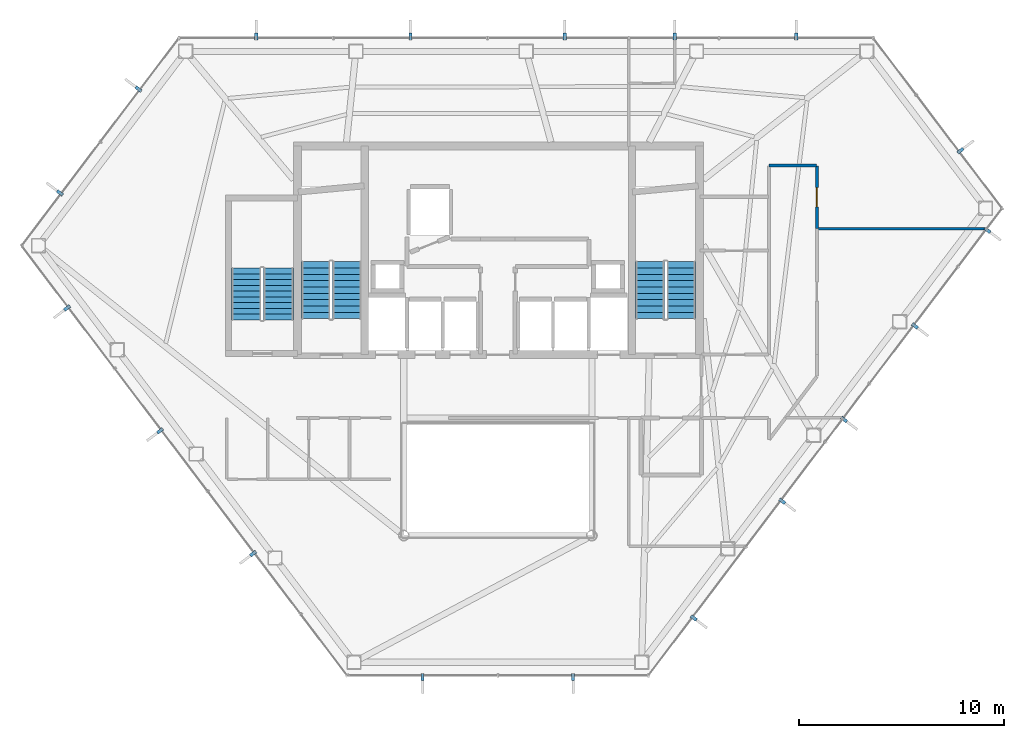
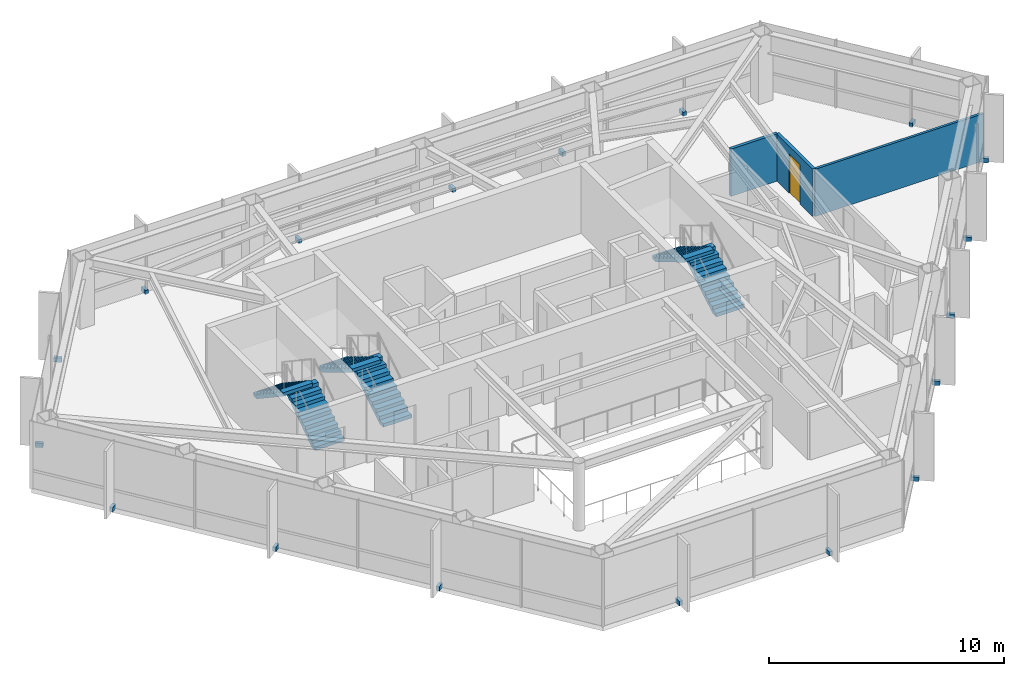
# One storey, part 26 of 27: 18 discrete accessories, 6 stair flights, 3 walls, 1 door, 1 opening, 3 elements without a shape of their own.
"""IFC4 building model written with IfcOpenShell, lengths in metres."""

from ifc_helpers import new_model, si_unit, direction, frame, frame_2d, origin, origin_2d, place, context, subcontext, project, spatial, polyline, rectangle, outline, extrude, material, layer, layer_set, type_object, element, fill, aggregate, save


model = new_model("IFC4")

# Units and contexts
model_context = context("Model", 3, precision=1e-05, world=origin(), true_north=direction((0.0, 1.0)))
body_context = subcontext(model_context, "Body", "Model", "MODEL_VIEW")
ifc_project = project(units=[si_unit("LENGTHUNIT", "METRE"), si_unit("AREAUNIT", "SQUARE_METRE"), si_unit("VOLUMEUNIT", "CUBIC_METRE"), si_unit("PLANEANGLEUNIT", "RADIAN"), si_unit("MASSUNIT", "GRAM", prefix="KILO")], contexts=[model_context])

# Site, building, storey
site_placement = place(None, origin())
site = spatial("IfcSite", under=ifc_project, at=site_placement, CompositionType="ELEMENT")
building_placement = place(site_placement, origin())
building = spatial("IfcBuilding", under=site, at=building_placement, Name="Zarrinselat Tower", CompositionType="ELEMENT")
storey_placement = place(building_placement, frame((0.0, 0.0, 175.780029296875)))
storey = spatial("IfcBuildingStorey", under=building, at=storey_placement, Name="L43", CompositionType="ELEMENT", Elevation=175.780029296875)

# Wall
ifc_material_1 = material(Name="Fire-Rated Gypsum Board Partition", Category="gypsum")
ifc_layer_1 = layer(ifc_material_1, 0.14990234375)
ifc_layer_set_1 = layer_set([ifc_layer_1], Name="Fire-Rated Gypsum Board Partition")
wall_type_1 = type_object("IfcWallType", Name="WAL-PART-EI60", PredefinedType="PARTITIONING", material=ifc_layer_set_1)
wall_1_placement = place(storey_placement, frame((51.669921875, 42.5, 0.0), z_axis=(0.0, 0.0, 1.0), x_axis=(1.0, 0.0, 0.0)))
element("IfcWall", 1, at=wall_1_placement, inside=storey, type_object=wall_type_1, Name="L43 Partition Wall 27", PredefinedType="PARTITIONING", context=body_context, shape_type="SweptSolid", body=[
    extrude(rectangle(XDim=2.31005859375, YDim=0.14990234375, at=frame_2d((1.155029296875, 0.0))), origin(), (0.0, 0.0, 1.0), 2.45703125),
])

# Wall, opening, door
wall_2_placement = place(storey_placement, frame((54.0, 39.4111328125, 0.0), z_axis=(0.0, 0.0, 1.0), x_axis=(0.0, 1.0, 0.0)))
wall_2 = element("IfcWall", 2, at=wall_2_placement, inside=storey, type_object=wall_type_1, Name="L43 Partition Wall 28", PredefinedType="PARTITIONING", context=body_context, shape_type="SweptSolid", body=[
    extrude(rectangle(XDim=3.06884765625, YDim=0.14990234375, at=frame_2d((1.534423828125, 0.0))), origin(), (0.0, 0.0, 1.0), 2.45703125),
])
opening_placement = place(wall_2_placement, frame((1.064453125, 0.0, 0.0)))
opening = element("IfcOpeningElement", 3, at=opening_placement, cuts=wall_2, Name="Opening ID-04", PredefinedType="OPENING", context=body_context, shape_type="SweptSolid", body=[
    extrude(rectangle(XDim=0.93994140625, YDim=2.050048828125, at=frame_2d((0.469970703125, 1.02490234375))), frame((0.0, 0.0849609375, 0.0), z_axis=(0.0, -1.0, 0.0), x_axis=(1.0, 0.0, 0.0)), (0.0, 0.0, 1.0), 0.169921875),
])
ifc_material_2 = material(Name="Fire-Rated Gypsum Board Partition")
door_type = type_object("IfcDoorType", Name="DR-INT-FD30-ENT", OperationType="NOTDEFINED", PredefinedType="DOOR", material=ifc_material_2)
door_placement = place(opening_placement, origin())
door = element("IfcDoor", 4, at=door_placement, inside=storey, type_object=door_type, Name="L43 Interior Door P28", OperationType="SINGLE_SWING_RIGHT", OverallHeight=2.050048828125, OverallWidth=0.93994140625, PredefinedType="DOOR", context=body_context, shape_type="SweptSolid", body=[
    extrude(rectangle(XDim=0.93994140625, YDim=2.050048828125, at=frame_2d((0.469970703125, 1.02490234375))), frame((0.0, 0.02490234375, 0.0), z_axis=(0.0, -1.0, 0.0), x_axis=(1.0, 0.0, 0.0)), (0.0, 0.0, 1.0), 0.050048828125),
])
fill(opening, door)

# Wall
ifc_material_3 = material(Name="Fire-Rated Gypsum Board Partition", Category="gypsum")
ifc_layer_2 = layer(ifc_material_3, 0.1201171875)
ifc_layer_set_2 = layer_set([ifc_layer_2], Name="Fire-Rated Gypsum Board Partition")
wall_type_2 = type_object("IfcWallType", Name="WAL-PART-STD", PredefinedType="PARTITIONING", material=ifc_layer_set_2)
wall_3_placement = place(storey_placement, frame((54.02001953125, 39.406005859375, 0.0), z_axis=(0.0, 0.0, 1.0), x_axis=(1.0, 0.0, 0.0)))
element("IfcWall", 5, at=wall_3_placement, inside=storey, type_object=wall_type_2, Name="L43 Partition Wall 43", PredefinedType="PARTITIONING", context=body_context, shape_type="SweptSolid", body=[
    extrude(rectangle(XDim=8.277099609375, YDim=0.1201171875, at=frame_2d((4.138671875, 0.0))), origin(), (0.0, 0.0, 1.0), 2.45703125),
])

# Stair, stair flights
ifc_material_4 = material(Name="Concrete C40/50", Category="concrete")
stair_type_1 = type_object("IfcStairType", Name="STR-CORE-145", PredefinedType="HALF_TURN_STAIR", material=ifc_material_4)
stair_1_placement = place(storey_placement, origin())
stair_1 = element("IfcStair", 6, at=stair_1_placement, inside=storey, type_object=stair_type_1, Name="L43 Podium & Mid-Tower Exit Stair 3", PredefinedType="HALF_TURN_STAIR")
ifc_material_5 = material(Name="Concrete C40/50", Category="concrete")
stair_flight_type_1 = type_object("IfcStairFlightType", Name="STR-FLT-145", PredefinedType="STRAIGHT", material=ifc_material_5)
stair_flight_1_placement = place(storey_placement, frame((27.675048828125, 34.949951171875, 0.0), z_axis=(0.0, 0.0, 1.0), x_axis=(0.0, 1.0, 0.0)))
stair_flight_1 = element("IfcStairFlight", 7, at=stair_flight_1_placement, type_object=stair_flight_type_1, Name="ST-3 flight 1", NumberOfRisers=10, NumberOfTreads=9, PredefinedType="STRAIGHT", RiserHeight=0.187, TreadLength=0.28, context=body_context, shape_type="SweptSolid", body=[
    extrude(outline(polyline([(0.0, 0.0), (0.0, 0.18701171875), (0.280029296875, 0.18701171875), (0.280029296875, 0.3740234375), (0.56005859375, 0.3740234375), (0.56005859375, 0.56103515625), (0.840087890625, 0.56103515625), (0.840087890625, 0.748046875), (1.1201171875, 0.748046875), (1.1201171875, 0.93505859375), (1.39990234375, 0.93505859375), (1.39990234375, 1.1220703125), (1.679931640625, 1.1220703125), (1.679931640625, 1.30908203125), (1.9599609375, 1.30908203125), (1.9599609375, 1.49609375), (2.239990234375, 1.49609375), (2.239990234375, 1.68310546875), (2.52001953125, 1.68310546875), (2.52001953125, 1.8701171875), (2.52001953125, 1.502685546875), (0.27001953125, 0.0), (0.0, 0.0)])), frame((0.0, 0.72509765625, 0.0), z_axis=(0.0, -1.0, 0.0), x_axis=(1.0, 0.0, 0.0)), (0.0, 0.0, 1.0), 1.449951171875),
])
stair_flight_2_placement = place(storey_placement, frame((26.10498046875, 37.469970703125, 1.869873046875), z_axis=(0.0, 0.0, 1.0), x_axis=(0.0, -1.0, 0.0)))
stair_flight_2 = element("IfcStairFlight", 8, at=stair_flight_2_placement, type_object=stair_flight_type_1, Name="ST-3 flight 2", NumberOfRisers=10, NumberOfTreads=9, PredefinedType="STRAIGHT", RiserHeight=0.187, TreadLength=0.28, context=body_context, shape_type="SweptSolid", body=[
    extrude(outline(polyline([(0.0, 0.0), (0.0, 0.18701171875), (0.280029296875, 0.18701171875), (0.280029296875, 0.3740234375), (0.56005859375, 0.3740234375), (0.56005859375, 0.56103515625), (0.840087890625, 0.56103515625), (0.840087890625, 0.748046875), (1.1201171875, 0.748046875), (1.1201171875, 0.93505859375), (1.39990234375, 0.93505859375), (1.39990234375, 1.1220703125), (1.679931640625, 1.1220703125), (1.679931640625, 1.30908203125), (1.9599609375, 1.30908203125), (1.9599609375, 1.49609375), (2.239990234375, 1.49609375), (2.239990234375, 1.68310546875), (2.52001953125, 1.68310546875), (2.52001953125, 1.8701171875), (2.52001953125, 1.502685546875), (0.27001953125, 0.0), (0.0, 0.0)])), frame((0.0, 0.72509765625, 0.0), z_axis=(0.0, -1.0, 0.0), x_axis=(1.0, 0.0, 0.0)), (0.0, 0.0, 1.0), 1.449951171875),
])
aggregate(stair_1, [stair_flight_1, stair_flight_2])

ifc_material_6 = material(Name="Concrete C40/50", Category="concrete")
stair_type_2 = type_object("IfcStairType", Name="STR-CORE-155", PredefinedType="HALF_TURN_STAIR", material=ifc_material_6)
stair_2_placement = place(storey_placement, origin())
stair_2 = element("IfcStair", 9, at=stair_2_placement, inside=storey, type_object=stair_type_2, Name="L43 Core Exit Stair 1", PredefinedType="HALF_TURN_STAIR")
ifc_material_7 = material(Name="Concrete C40/50", Category="concrete")
stair_flight_type_2 = type_object("IfcStairFlightType", Name="STR-FLT-155", PredefinedType="STRAIGHT", material=ifc_material_7)
stair_flight_3_placement = place(storey_placement, frame((31.02001953125, 35.0, 0.0), z_axis=(0.0, 0.0, 1.0), x_axis=(0.0, 1.0, 0.0)))
stair_flight_3 = element("IfcStairFlight", 10, at=stair_flight_3_placement, type_object=stair_flight_type_2, Name="ST-1 flight 1", NumberOfRisers=10, NumberOfTreads=9, PredefinedType="STRAIGHT", RiserHeight=0.187, TreadLength=0.31, context=body_context, shape_type="SweptSolid", body=[
    extrude(outline(polyline([(0.0, 0.0), (0.0, 0.18701171875), (0.31005859375, 0.18701171875), (0.31005859375, 0.3740234375), (0.6201171875, 0.3740234375), (0.6201171875, 0.56103515625), (0.929931640625, 0.56103515625), (0.929931640625, 0.748046875), (1.239990234375, 0.748046875), (1.239990234375, 0.93505859375), (1.550048828125, 0.93505859375), (1.550048828125, 1.1220703125), (1.860107421875, 1.1220703125), (1.860107421875, 1.30908203125), (2.169921875, 1.30908203125), (2.169921875, 1.49609375), (2.47998046875, 1.49609375), (2.47998046875, 1.68310546875), (2.7900390625, 1.68310546875), (2.7900390625, 1.8701171875), (2.7900390625, 1.508056640625), (0.290283203125, 0.0), (0.0, 0.0)])), frame((0.0, 0.699951171875, 0.0), z_axis=(0.0, -1.0, 0.0), x_axis=(1.0, 0.0, 0.0)), (0.0, 0.0, 1.0), 1.39990234375),
])
stair_flight_4_placement = place(storey_placement, frame((29.5, 37.7900390625, 1.869873046875), z_axis=(0.0, 0.0, 1.0), x_axis=(0.0, -1.0, 0.0)))
stair_flight_4 = element("IfcStairFlight", 11, at=stair_flight_4_placement, type_object=stair_flight_type_2, Name="ST-1 flight 2", NumberOfRisers=10, NumberOfTreads=9, PredefinedType="STRAIGHT", RiserHeight=0.187, TreadLength=0.31, context=body_context, shape_type="SweptSolid", body=[
    extrude(outline(polyline([(0.0, 0.0), (0.0, 0.18701171875), (0.31005859375, 0.18701171875), (0.31005859375, 0.3740234375), (0.6201171875, 0.3740234375), (0.6201171875, 0.56103515625), (0.929931640625, 0.56103515625), (0.929931640625, 0.748046875), (1.239990234375, 0.748046875), (1.239990234375, 0.93505859375), (1.550048828125, 0.93505859375), (1.550048828125, 1.1220703125), (1.860107421875, 1.1220703125), (1.860107421875, 1.30908203125), (2.169921875, 1.30908203125), (2.169921875, 1.49609375), (2.47998046875, 1.49609375), (2.47998046875, 1.68310546875), (2.7900390625, 1.68310546875), (2.7900390625, 1.8701171875), (2.7900390625, 1.508056640625), (0.290283203125, 0.0), (0.0, 0.0)])), frame((0.0, 0.699951171875, 0.0), z_axis=(0.0, -1.0, 0.0), x_axis=(1.0, 0.0, 0.0)), (0.0, 0.0, 1.0), 1.39990234375),
])
aggregate(stair_2, [stair_flight_3, stair_flight_4])

stair_3_placement = place(storey_placement, origin())
stair_3 = element("IfcStair", 12, at=stair_3_placement, inside=storey, type_object=stair_type_2, Name="L43 Core Exit Stair 2", PredefinedType="HALF_TURN_STAIR")
stair_flight_5_placement = place(storey_placement, frame((47.360107421875, 35.0, 0.0), z_axis=(0.0, 0.0, 1.0), x_axis=(0.0, 1.0, 0.0)))
stair_flight_5 = element("IfcStairFlight", 13, at=stair_flight_5_placement, type_object=stair_flight_type_2, Name="ST-2 flight 1", NumberOfRisers=10, NumberOfTreads=9, PredefinedType="STRAIGHT", RiserHeight=0.187, TreadLength=0.31, context=body_context, shape_type="SweptSolid", body=[
    extrude(outline(polyline([(0.0, 0.0), (0.0, 0.18701171875), (0.31005859375, 0.18701171875), (0.31005859375, 0.3740234375), (0.6201171875, 0.3740234375), (0.6201171875, 0.56103515625), (0.929931640625, 0.56103515625), (0.929931640625, 0.748046875), (1.239990234375, 0.748046875), (1.239990234375, 0.93505859375), (1.550048828125, 0.93505859375), (1.550048828125, 1.1220703125), (1.860107421875, 1.1220703125), (1.860107421875, 1.30908203125), (2.169921875, 1.30908203125), (2.169921875, 1.49609375), (2.47998046875, 1.49609375), (2.47998046875, 1.68310546875), (2.7900390625, 1.68310546875), (2.7900390625, 1.8701171875), (2.7900390625, 1.508056640625), (0.290283203125, 0.0), (0.0, 0.0)])), frame((0.0, 0.699951171875, 0.0), z_axis=(0.0, -1.0, 0.0), x_axis=(1.0, 0.0, 0.0)), (0.0, 0.0, 1.0), 1.39990234375),
])
stair_flight_6_placement = place(storey_placement, frame((45.840087890625, 37.7900390625, 1.869873046875), z_axis=(0.0, 0.0, 1.0), x_axis=(0.0, -1.0, 0.0)))
stair_flight_6 = element("IfcStairFlight", 14, at=stair_flight_6_placement, type_object=stair_flight_type_2, Name="ST-2 flight 2", NumberOfRisers=10, NumberOfTreads=9, PredefinedType="STRAIGHT", RiserHeight=0.187, TreadLength=0.31, context=body_context, shape_type="SweptSolid", body=[
    extrude(outline(polyline([(0.0, 0.0), (0.0, 0.18701171875), (0.31005859375, 0.18701171875), (0.31005859375, 0.3740234375), (0.6201171875, 0.3740234375), (0.6201171875, 0.56103515625), (0.929931640625, 0.56103515625), (0.929931640625, 0.748046875), (1.239990234375, 0.748046875), (1.239990234375, 0.93505859375), (1.550048828125, 0.93505859375), (1.550048828125, 1.1220703125), (1.860107421875, 1.1220703125), (1.860107421875, 1.30908203125), (2.169921875, 1.30908203125), (2.169921875, 1.49609375), (2.47998046875, 1.49609375), (2.47998046875, 1.68310546875), (2.7900390625, 1.68310546875), (2.7900390625, 1.8701171875), (2.7900390625, 1.508056640625), (0.290283203125, 0.0), (0.0, 0.0)])), frame((0.0, 0.699951171875, 0.0), z_axis=(0.0, -1.0, 0.0), x_axis=(1.0, 0.0, 0.0)), (0.0, 0.0, 1.0), 1.39990234375),
])
aggregate(stair_3, [stair_flight_5, stair_flight_6])

# Discrete accessories
ifc_material_8 = material(Name="Steel S355J2", Category="steel")
discrete_accessory_type = type_object("IfcDiscreteAccessoryType", Name="ACC-FIN-BRACKET", PredefinedType="BRACKET", material=ifc_material_8)
for number, where, z_axis, x_axis, name in (
    (15, (52.98681640625, 48.792236328125, -0.0498046875), (0.0, 0.0, 1.0), (0.0, 1.0, 0.0), "L43 Fin Fixing Bracket CW-L43-E01-01"),
    (16, (47.050048828125, 48.792236328125, -0.0498046875), (0.0, 0.0, 1.0), (0.0, 1.0, 0.0), "L43 Fin Fixing Bracket CW-L43-E01-03"),
    (17, (41.67041015625, 48.792236328125, -0.0498046875), (0.0, 0.0, 1.0), (0.0, 1.0, 0.0), "L43 Fin Fixing Bracket CW-L43-E01-05"),
    (18, (34.126220703125, 48.792236328125, -0.0498046875), (0.0, 0.0, 1.0), (0.0, 1.0, 0.0), "L43 Fin Fixing Bracket CW-L43-E01-07"),
    (19, (26.58203125, 48.792236328125, -0.0498046875), (0.0, 0.0, 1.0), (0.0, 1.0, 0.0), "L43 Fin Fixing Bracket CW-L43-E01-09"),
    (20, (20.831787109375, 46.226806640625, -0.0498046875), (0.0, 0.0, 1.0), (-0.797091117314, 0.603859048702, 0.0), "L43 Fin Fixing Bracket CW-L43-E02-01"),
    (21, (16.98681640625, 41.151611328125, -0.0498046875), (0.0, 0.0, 1.0), (-0.797091117314, 0.603859048702, 0.0), "L43 Fin Fixing Bracket CW-L43-E02-03"),
    (22, (17.3388671875, 35.527099609375, -0.0498046875), (0.0, 0.0, 1.0), (-0.797092424748, -0.603857322892, 0.0), "L43 Fin Fixing Bracket CW-L43-E03-01"),
    (23, (21.8876953125, 29.5224609375, -0.0498046875), (0.0, 0.0, 1.0), (-0.797092424748, -0.603857322892, 0.0), "L43 Fin Fixing Bracket CW-L43-E03-03"),
    (24, (26.436767578125, 23.517578125, -0.0498046875), (0.0, 0.0, 1.0), (-0.797092424748, -0.603857322892, 0.0), "L43 Fin Fixing Bracket CW-L43-E03-05"),
    (25, (34.720703125, 17.4853515625, -0.0498046875), (0.0, 0.0, 1.0), (0.0, -1.0, 0.0), "L43 Fin Fixing Bracket CW-L43-E04-01"),
    (26, (42.0791015625, 17.4853515625, -0.0498046875), (0.0, 0.0, 1.0), (0.0, -1.0, 0.0), "L43 Fin Fixing Bracket CW-L43-E04-03"),
    (27, (47.977294921875, 20.368408203125, -0.0498046875), (0.0, 0.0, 1.0), (0.797091028478, -0.603859165965, 0.0), "L43 Fin Fixing Bracket CW-L43-E05-01"),
    (28, (52.303955078125, 26.079345703125, -0.0498046875), (0.0, 0.0, 1.0), (0.797091028478, -0.603859165965, 0.0), "L43 Fin Fixing Bracket CW-L43-E05-03"),
    (29, (55.328125, 30.071533203125, -0.0498046875), (0.0, 0.0, 1.0), (0.797091028478, -0.603859165965, 0.0), "L43 Fin Fixing Bracket CW-L43-E05-05"),
    (30, (58.793701171875, 34.645751953125, -0.0498046875), (0.0, 0.0, 1.0), (0.797091028478, -0.603859165965, 0.0), "L43 Fin Fixing Bracket CW-L43-E05-07"),
    (31, (62.34033203125, 39.32763671875, -0.0498046875), (0.0, 0.0, 1.0), (0.797091028478, -0.603859165965, 0.0), "L43 Fin Fixing Bracket CW-L43-E05-09"),
    (32, (61.018310546875, 43.2158203125, -0.0498046875), (0.0, 0.0, 1.0), (0.797090052893, 0.603860453729, 0.0), "L43 Fin Fixing Bracket CW-L43-E06-01"),
):
    element("IfcDiscreteAccessory", number, at=place(storey_placement, frame(where, z_axis=z_axis, x_axis=x_axis)), inside=storey, type_object=discrete_accessory_type, Name=name, PredefinedType="BRACKET", context=body_context, shape_type="SweptSolid", body=[
        extrude(rectangle(XDim=0.340087890625, YDim=0.159912109375, at=origin_2d()), origin(), (0.0, 0.0, 1.0), 0.219970703125),
    ])

save(model, "model.ifc")
